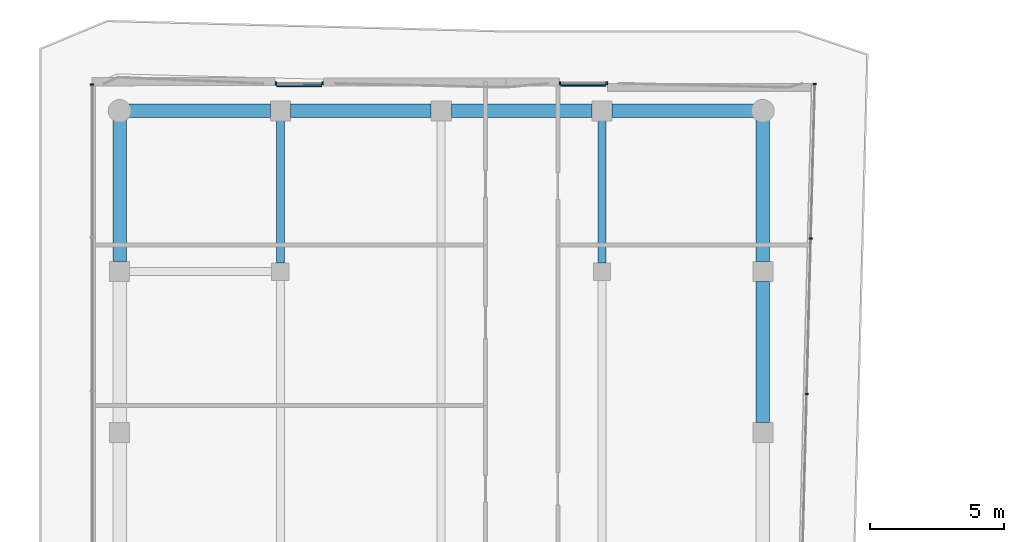
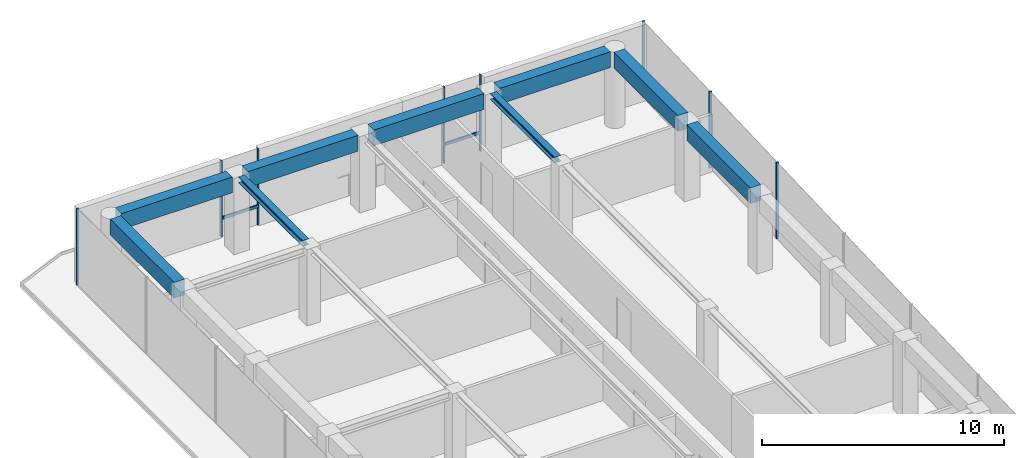
# One storey, part 12 of 18: 10 members, 9 beams, 4 elements without a shape of their own.
"""IFC4 building model written with IfcOpenShell, lengths in metres."""

from ifc_helpers import new_model, si_unit, direction, frame, origin, origin_2d, place, context, subcontext, project, spatial, rectangle, i_section, extrude, material, layer, layer_set, material_profile, profile_set, type_object, element, aggregate, save


model = new_model("IFC4")

# Units and contexts
model_context = context("Model", 3, precision=1e-05, world=origin(), true_north=direction((0.0, 1.0)))
body_context = subcontext(model_context, "Body", "Model", "MODEL_VIEW")
ifc_project = project(units=[si_unit("LENGTHUNIT", "METRE"), si_unit("AREAUNIT", "SQUARE_METRE"), si_unit("VOLUMEUNIT", "CUBIC_METRE"), si_unit("PLANEANGLEUNIT", "RADIAN"), si_unit("MASSUNIT", "GRAM", prefix="KILO")], contexts=[model_context])

# Site, building, storey
site_placement = place(None, origin())
site = spatial("IfcSite", under=ifc_project, at=site_placement, CompositionType="ELEMENT")
building_placement = place(site_placement, origin())
building = spatial("IfcBuilding", under=site, at=building_placement, Name="Welwitschia Terrace Campus", CompositionType="ELEMENT")
storey_placement = place(building_placement, frame((0.0, 0.0, 281.0)))
storey = spatial("IfcBuildingStorey", under=building, at=storey_placement, Name="L62", CompositionType="ELEMENT", Elevation=281.0)

# Beams
ifc_material_1 = material(Name="Steel S355", Category="steel")
ifc_material_profile_1 = material_profile(ifc_material_1, i_section(OverallWidth=0.300048828125, OverallDepth=0.300048828125, WebThickness=0.010986328125, FlangeThickness=0.01904296875, FilletRadius=0.027099609375, at=origin_2d()))
ifc_profile_set_1 = profile_set([ifc_material_profile_1], Name="Steel S355")
beam_type_1 = type_object("IfcBeamType", Name="Interior girder HE 300 B", PredefinedType="BEAM", material=ifc_profile_set_1)
for number, where, z_axis, x_axis, name in (
    (1, (6.0, 56.325439453125, 3.699951171875), (0.0, 1.0, 0.0), (-1.0, 0.0, 0.0), "Girder GB6"),
    (2, (18.0, 56.325439453125, 3.699951171875), (0.0, 1.0, 0.0), (-1.0, 0.0, 0.0), "Girder GB6"),
):
    element("IfcBeam", number, at=place(storey_placement, frame(where, z_axis=z_axis, x_axis=x_axis)), inside=storey, type_object=beam_type_1, Name=name, PredefinedType="BEAM", context=body_context, shape_type="SweptSolid", body=[
        extrude(i_section(OverallWidth=0.300048828125, OverallDepth=0.300048828125, WebThickness=0.010986328125, FlangeThickness=0.01904296875, FilletRadius=0.027099609375, at=origin_2d()), origin(), (0.0, 0.0, 1.0), 5.30908203125),
    ])

# Curtain wall, member
ifc_material_2 = material(Name="Bronze anodised aluminium", Category="aluminium")
ifc_layer = layer(ifc_material_2, 0.1201171875)
ifc_layer_set = layer_set([ifc_layer], Name="Bronze anodised aluminium")
curtain_wall_type = type_object("IfcCurtainWallType", Name="Curtain wall CW2 tower 6000", PredefinedType="NOTDEFINED", material=ifc_layer_set)
curtain_wall_1_placement = place(storey_placement, origin())
curtain_wall_1 = element("IfcCurtainWall", 3, at=curtain_wall_1_placement, inside=storey, type_object=curtain_wall_type, Name="CW L62.0.0", PredefinedType="NOTDEFINED")
ifc_material_3 = material(Name="Bronze anodised aluminium", Category="aluminium")
ifc_material_profile_2 = material_profile(ifc_material_3, rectangle(XDim=0.1201171875, YDim=0.06005859375, at=origin_2d()))
ifc_profile_set_2 = profile_set([ifc_material_profile_2], Name="Bronze anodised aluminium")
member_type_1 = type_object("IfcMemberType", Name="Mullion 60x120", PredefinedType="MULLION", material=ifc_profile_set_2)
member_1_placement = place(storey_placement, frame((-1.030029296875, 62.989990234375, 0.0), z_axis=(0.0, 0.0, 1.0), x_axis=(1.0, 0.0, 0.0)))
member_1 = element("IfcMember", 4, at=member_1_placement, type_object=member_type_1, Name="Mullion L62.0.0.0", PredefinedType="MULLION", context=body_context, shape_type="SweptSolid", body=[
    extrude(rectangle(XDim=0.1201171875, YDim=0.06005859375, at=origin_2d()), origin(), (0.0, 0.0, 1.0), 3.85009765625),
])
aggregate(curtain_wall_1, [member_1])

# Curtain wall, members
curtain_wall_2_placement = place(storey_placement, origin())
curtain_wall_2 = element("IfcCurtainWall", 5, at=curtain_wall_2_placement, inside=storey, type_object=curtain_wall_type, Name="CW L62.9.0", PredefinedType="NOTDEFINED")
member_2_placement = place(storey_placement, frame((25.63720703125, 51.4345703125, 0.0), z_axis=(0.0, 0.0, 1.0), x_axis=(-0.999657324976, 0.026176948308, 0.0)))
member_2 = element("IfcMember", 6, at=member_2_placement, type_object=member_type_1, Name="Mullion L62.9.0.4", PredefinedType="MULLION", context=body_context, shape_type="SweptSolid", body=[
    extrude(rectangle(XDim=0.1201171875, YDim=0.06005859375, at=origin_2d()), origin(), (0.0, 0.0, 1.0), 3.85009765625),
])
member_3_placement = place(storey_placement, frame((25.7890625, 57.232177734375, 0.0), z_axis=(0.0, 0.0, 1.0), x_axis=(-0.999657324976, 0.026176948308, 0.0)))
member_3 = element("IfcMember", 7, at=member_3_placement, type_object=member_type_1, Name="Mullion L62.9.0.5", PredefinedType="MULLION", context=body_context, shape_type="SweptSolid", body=[
    extrude(rectangle(XDim=0.1201171875, YDim=0.06005859375, at=origin_2d()), origin(), (0.0, 0.0, 1.0), 3.85009765625),
])
member_4_placement = place(storey_placement, frame((25.940185546875, 63.0, 0.0), z_axis=(0.0, 0.0, 1.0), x_axis=(-0.999657324976, 0.026176948308, 0.0)))
member_4 = element("IfcMember", 8, at=member_4_placement, type_object=member_type_1, Name="Mullion L62.9.0.6", PredefinedType="MULLION", context=body_context, shape_type="SweptSolid", body=[
    extrude(rectangle(XDim=0.1201171875, YDim=0.06005859375, at=origin_2d()), origin(), (0.0, 0.0, 1.0), 3.85009765625),
])
aggregate(curtain_wall_2, [member_2, member_3, member_4])

curtain_wall_3_placement = place(storey_placement, origin())
curtain_wall_3 = element("IfcCurtainWall", 9, at=curtain_wall_3_placement, inside=storey, type_object=curtain_wall_type, Name="CW L62.10.S0", PredefinedType="NOTDEFINED")
member_5_placement = place(storey_placement, frame((18.175048828125, 63.030029296875, 0.0), z_axis=(0.0, 0.0, 1.0), x_axis=(0.0, -1.0, 0.0)))
member_5 = element("IfcMember", 10, at=member_5_placement, type_object=member_type_1, Name="Mullion L62.10.S0.0", PredefinedType="MULLION", context=body_context, shape_type="SweptSolid", body=[
    extrude(rectangle(XDim=0.1201171875, YDim=0.06005859375, at=origin_2d()), origin(), (0.0, 0.0, 1.0), 3.85009765625),
])
member_6_placement = place(storey_placement, frame((16.43505859375, 63.030029296875, 0.0), z_axis=(0.0, 0.0, 1.0), x_axis=(0.0, -1.0, 0.0)))
member_6 = element("IfcMember", 11, at=member_6_placement, type_object=member_type_1, Name="Mullion L62.10.S0.1", PredefinedType="MULLION", context=body_context, shape_type="SweptSolid", body=[
    extrude(rectangle(XDim=0.1201171875, YDim=0.06005859375, at=origin_2d()), origin(), (0.0, 0.0, 1.0), 3.85009765625),
])

curtain_wall_4_placement = place(storey_placement, origin())
curtain_wall_4 = element("IfcCurtainWall", 12, at=curtain_wall_4_placement, inside=storey, type_object=curtain_wall_type, Name="CW L62.11.S0", PredefinedType="NOTDEFINED")
member_7_placement = place(storey_placement, frame((7.568359375, 63.025634765625, 0.0), z_axis=(0.0, 0.0, 1.0), x_axis=(0.000647547214, -0.999999790341, 0.0)))
member_7 = element("IfcMember", 13, at=member_7_placement, type_object=member_type_1, Name="Mullion L62.11.S0.0", PredefinedType="MULLION", context=body_context, shape_type="SweptSolid", body=[
    extrude(rectangle(XDim=0.1201171875, YDim=0.06005859375, at=origin_2d()), origin(), (0.0, 0.0, 1.0), 3.85009765625),
])
member_8_placement = place(storey_placement, frame((5.828125, 63.0244140625, 0.0), z_axis=(0.0, 0.0, 1.0), x_axis=(0.000647547214, -0.999999790341, 0.0)))
member_8 = element("IfcMember", 14, at=member_8_placement, type_object=member_type_1, Name="Mullion L62.11.S0.1", PredefinedType="MULLION", context=body_context, shape_type="SweptSolid", body=[
    extrude(rectangle(XDim=0.1201171875, YDim=0.06005859375, at=origin_2d()), origin(), (0.0, 0.0, 1.0), 3.85009765625),
])

# Beams
ifc_material_4 = material(Name="Concrete C50/60", Category="concrete")
ifc_material_profile_3 = material_profile(ifc_material_4, rectangle(XDim=0.5, YDim=0.800048828125, at=origin_2d()))
ifc_profile_set_3 = profile_set([ifc_material_profile_3], Name="Concrete C50/60")
beam_type_2 = type_object("IfcBeamType", Name="Ring spandrel 500x800", PredefinedType="SPANDREL", material=ifc_profile_set_3)
beam_placement = place(storey_placement, frame((24.0, 50.37548828125, 3.449951171875), z_axis=(0.0, 1.0, 0.0), x_axis=(-1.0, 0.0, 0.0)))
element("IfcBeam", 15, at=beam_placement, inside=storey, type_object=beam_type_2, Name="Spandrel SP4", PredefinedType="SPANDREL", context=body_context, shape_type="SweptSolid", body=[
    extrude(rectangle(XDim=0.5, YDim=0.800048828125, at=origin_2d()), origin(), (0.0, 0.0, 1.0), 5.2490234375),
])
for number, where, z_axis, x_axis, name in (
    (16, (24.0, 56.37548828125, 3.449951171875), (0.0, 1.0, 0.0), (-1.0, 0.0, 0.0), "Spandrel SP4"),
    (17, (23.655517578125, 62.0, 3.449951171875), (-1.0, 0.0, 0.0), (0.0, -1.0, 0.0), "Spandrel SP4"),
):
    element("IfcBeam", number, at=place(storey_placement, frame(where, z_axis=z_axis, x_axis=x_axis)), inside=storey, type_object=beam_type_2, Name=name, PredefinedType="SPANDREL", context=body_context, shape_type="SweptSolid", body=[
        extrude(rectangle(XDim=0.5, YDim=0.800048828125, at=origin_2d()), origin(), (0.0, 0.0, 1.0), 5.280029296875),
    ])
for number, where, z_axis, x_axis, name in (
    (18, (17.62451171875, 62.0, 3.449951171875), (-1.0, 0.0, 0.0), (0.0, -1.0, 0.0), "Spandrel SP4"),
    (19, (11.62451171875, 62.0, 3.449951171875), (-1.0, 0.0, 0.0), (0.0, -1.0, 0.0), "Spandrel SP4"),
):
    element("IfcBeam", number, at=place(storey_placement, frame(where, z_axis=z_axis, x_axis=x_axis)), inside=storey, type_object=beam_type_2, Name=name, PredefinedType="SPANDREL", context=body_context, shape_type="SweptSolid", body=[
        extrude(rectangle(XDim=0.5, YDim=0.800048828125, at=origin_2d()), origin(), (0.0, 0.0, 1.0), 5.2490234375),
    ])
for number, where, z_axis, x_axis, name in (
    (20, (5.62451171875, 62.0, 3.449951171875), (-1.0, 0.0, 0.0), (0.0, -1.0, 0.0), "Spandrel SP4"),
    (21, (0.0, 61.655517578125, 3.449951171875), (0.0, -1.0, 0.0), (1.0, 0.0, 0.0), "Spandrel SP4"),
):
    element("IfcBeam", number, at=place(storey_placement, frame(where, z_axis=z_axis, x_axis=x_axis)), inside=storey, type_object=beam_type_2, Name=name, PredefinedType="SPANDREL", context=body_context, shape_type="SweptSolid", body=[
        extrude(rectangle(XDim=0.5, YDim=0.800048828125, at=origin_2d()), origin(), (0.0, 0.0, 1.0), 5.280029296875),
    ])

# Member
ifc_material_5 = material(Name="Bronze anodised aluminium", Category="aluminium")
ifc_material_profile_4 = material_profile(ifc_material_5, rectangle(XDim=0.06005859375, YDim=0.14990234375, at=origin_2d()))
ifc_profile_set_4 = profile_set([ifc_material_profile_4], Name="Bronze anodised aluminium")
member_type_2 = type_object("IfcMemberType", Name="Transom 60x150", PredefinedType="USERDEFINED", material=ifc_profile_set_4)
member_9_placement = place(storey_placement, frame((18.14501953125, 62.93994140625, 1.0), z_axis=(-1.0, 0.0, 0.0), x_axis=(0.0, -1.0, 0.0)))
member_9 = element("IfcMember", 22, at=member_9_placement, type_object=member_type_2, Name="Transom L62.10.S0", ObjectType="TRANSOM", PredefinedType="USERDEFINED", context=body_context, shape_type="SweptSolid", body=[
    extrude(rectangle(XDim=0.06005859375, YDim=0.14990234375, at=origin_2d()), origin(), (0.0, 0.0, 1.0), 1.679931640625),
])

aggregate(curtain_wall_3, [member_5, member_6, member_9])

member_10_placement = place(storey_placement, frame((7.538330078125, 62.935546875, 1.0), z_axis=(-0.999999831039, -0.000581310758, 0.0), x_axis=(0.000581310758, -0.999999831039, 0.0)))
member_10 = element("IfcMember", 23, at=member_10_placement, type_object=member_type_2, Name="Transom L62.11.S0", ObjectType="TRANSOM", PredefinedType="USERDEFINED", context=body_context, shape_type="SweptSolid", body=[
    extrude(rectangle(XDim=0.06005859375, YDim=0.14990234375, at=origin_2d()), origin(), (0.0, 0.0, 1.0), 1.679931640625),
])

aggregate(curtain_wall_4, [member_7, member_8, member_10])

save(model, "model.ifc")
